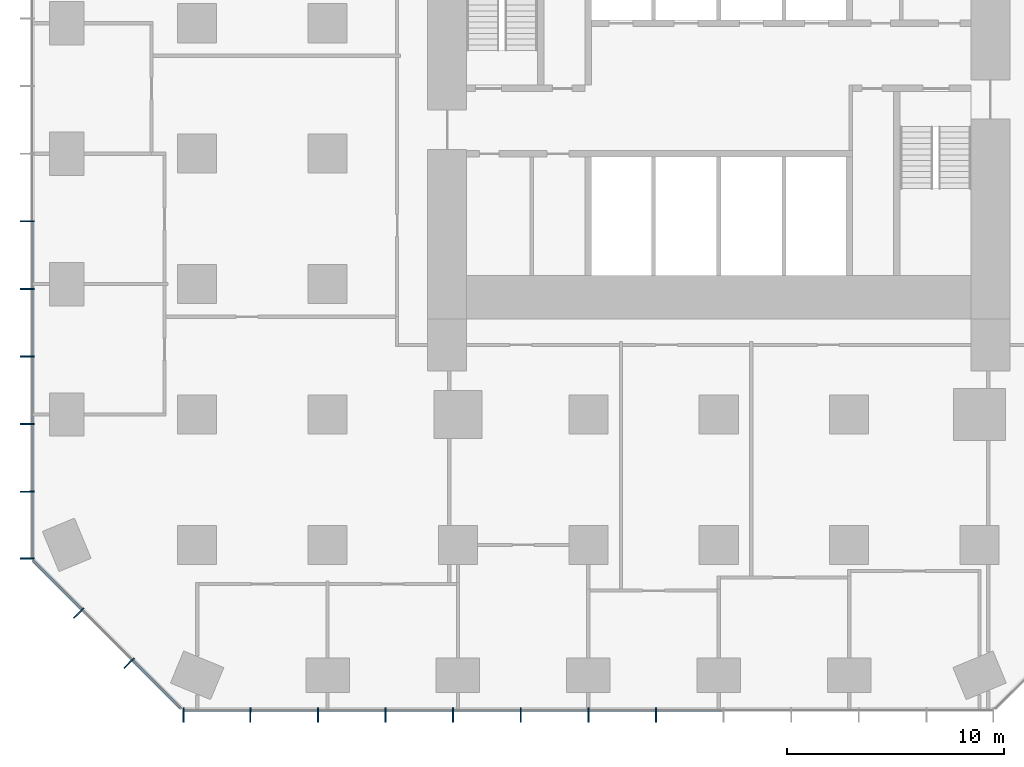
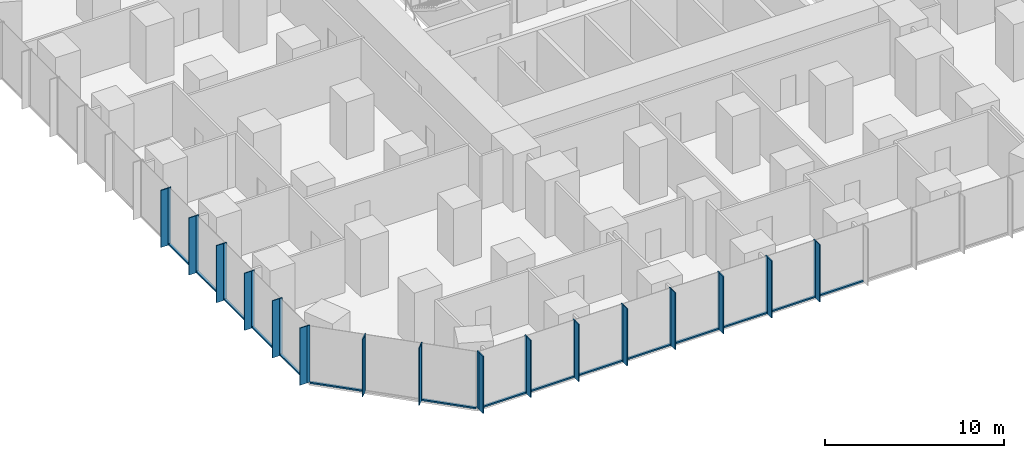
# One storey, part 2 of 12: 47 members, 3 elements without a shape of their own.
"""IFC4 building model written with IfcOpenShell, lengths in metres."""

from ifc_helpers import new_model, si_unit, direction, frame, origin, origin_2d, place, context, subcontext, project, spatial, rectangle, extrude, material, layer, layer_set, material_profile, profile_set, type_object, element, aggregate, save


model = new_model("IFC4")

# Units and contexts
model_context = context("Model", 3, precision=1e-05, world=origin(), true_north=direction((0.0, 1.0)))
body_context = subcontext(model_context, "Body", "Model", "MODEL_VIEW")
ifc_project = project(units=[si_unit("LENGTHUNIT", "METRE"), si_unit("AREAUNIT", "SQUARE_METRE"), si_unit("VOLUMEUNIT", "CUBIC_METRE"), si_unit("PLANEANGLEUNIT", "RADIAN"), si_unit("MASSUNIT", "GRAM", prefix="KILO")], contexts=[model_context])

# Site, building, storey
site_placement = place(None, origin())
site = spatial("IfcSite", under=ifc_project, at=site_placement, CompositionType="ELEMENT")
building_placement = place(site_placement, origin())
building = spatial("IfcBuilding", under=site, at=building_placement, Name="Highveld Stack Headquarters", CompositionType="ELEMENT")
storey_placement = place(building_placement, frame((0.0, 0.0, 22.10009765625)))
storey = spatial("IfcBuildingStorey", under=building, at=storey_placement, Name="L04", CompositionType="ELEMENT", Elevation=22.10009765625)

# Curtain wall, members
ifc_material_1 = material(Name="Aluminium bronze anodised", Category="aluminium")
ifc_layer_1 = layer(ifc_material_1, 0.199951171875)
ifc_layer_set_1 = layer_set([ifc_layer_1], Name="Aluminium bronze anodised")
curtain_wall_type_1 = type_object("IfcCurtainWallType", Name="CW1 TOWER UNITISED CURTAIN WALL", PredefinedType="NOTDEFINED", material=ifc_layer_set_1)
curtain_wall_1_placement = place(storey_placement, origin())
curtain_wall_1 = element("IfcCurtainWall", 1, at=curtain_wall_1_placement, inside=storey, type_object=curtain_wall_type_1, Name="Curtain wall CW1 L04 S", PredefinedType="NOTDEFINED")
ifc_material_2 = material(Name="Aluminium bronze anodised", Category="aluminium")
ifc_material_profile_1 = material_profile(ifc_material_2, rectangle(XDim=0.449951171875, YDim=0.06005859375, at=origin_2d()), Name="FIN 450x60")
ifc_profile_set_1 = profile_set([ifc_material_profile_1], Name="Aluminium bronze anodised")
member_type_1 = type_object("IfcMemberType", Name="CW1 BRONZE FIN 450x60", PredefinedType="USERDEFINED", material=ifc_profile_set_1)
member_1_placement = place(storey_placement, frame((-18.630126953125, -25.925048828125, 0.0), z_axis=(0.0, 0.0, 1.0), x_axis=(0.0, 1.0, 0.0)))
member_1 = element("IfcMember", 2, at=member_1_placement, type_object=member_type_1, Name="CW1 fin L04 1", ObjectType="FIN", PredefinedType="USERDEFINED", context=body_context, shape_type="SweptSolid", body=[
    extrude(rectangle(XDim=0.449951171875, YDim=0.06005859375, at=origin_2d()), origin(), (0.0, 0.0, 1.0), 3.89990234375),
])
member_2_placement = place(storey_placement, frame((-15.55224609375, -25.925048828125, 0.0), z_axis=(0.0, 0.0, 1.0), x_axis=(0.0, 1.0, 0.0)))
member_2 = element("IfcMember", 3, at=member_2_placement, type_object=member_type_1, Name="CW1 fin L04 2", ObjectType="FIN", PredefinedType="USERDEFINED", context=body_context, shape_type="SweptSolid", body=[
    extrude(rectangle(XDim=0.449951171875, YDim=0.06005859375, at=origin_2d()), origin(), (0.0, 0.0, 1.0), 3.89990234375),
])
member_3_placement = place(storey_placement, frame((-12.44189453125, -25.925048828125, 0.0), z_axis=(0.0, 0.0, 1.0), x_axis=(0.0, 1.0, 0.0)))
member_3 = element("IfcMember", 4, at=member_3_placement, type_object=member_type_1, Name="CW1 fin L04 3", ObjectType="FIN", PredefinedType="USERDEFINED", context=body_context, shape_type="SweptSolid", body=[
    extrude(rectangle(XDim=0.449951171875, YDim=0.06005859375, at=origin_2d()), origin(), (0.0, 0.0, 1.0), 3.89990234375),
])
member_4_placement = place(storey_placement, frame((-9.331298828125, -25.925048828125, 0.0), z_axis=(0.0, 0.0, 1.0), x_axis=(0.0, 1.0, 0.0)))
member_4 = element("IfcMember", 5, at=member_4_placement, type_object=member_type_1, Name="CW1 fin L04 4", ObjectType="FIN", PredefinedType="USERDEFINED", context=body_context, shape_type="SweptSolid", body=[
    extrude(rectangle(XDim=0.449951171875, YDim=0.06005859375, at=origin_2d()), origin(), (0.0, 0.0, 1.0), 3.89990234375),
])
member_5_placement = place(storey_placement, frame((-6.220947265625, -25.925048828125, 0.0), z_axis=(0.0, 0.0, 1.0), x_axis=(0.0, 1.0, 0.0)))
member_5 = element("IfcMember", 6, at=member_5_placement, type_object=member_type_1, Name="CW1 fin L04 5", ObjectType="FIN", PredefinedType="USERDEFINED", context=body_context, shape_type="SweptSolid", body=[
    extrude(rectangle(XDim=0.449951171875, YDim=0.06005859375, at=origin_2d()), origin(), (0.0, 0.0, 1.0), 3.89990234375),
])
member_6_placement = place(storey_placement, frame((-3.110595703125, -25.925048828125, 0.0), z_axis=(0.0, 0.0, 1.0), x_axis=(0.0, 1.0, 0.0)))
member_6 = element("IfcMember", 7, at=member_6_placement, type_object=member_type_1, Name="CW1 fin L04 6", ObjectType="FIN", PredefinedType="USERDEFINED", context=body_context, shape_type="SweptSolid", body=[
    extrude(rectangle(XDim=0.449951171875, YDim=0.06005859375, at=origin_2d()), origin(), (0.0, 0.0, 1.0), 3.89990234375),
])
member_7_placement = place(storey_placement, frame((0.0, -25.925048828125, 0.0), z_axis=(0.0, 0.0, 1.0), x_axis=(0.0, 1.0, 0.0)))
member_7 = element("IfcMember", 8, at=member_7_placement, type_object=member_type_1, Name="CW1 fin L04 7", ObjectType="FIN", PredefinedType="USERDEFINED", context=body_context, shape_type="SweptSolid", body=[
    extrude(rectangle(XDim=0.449951171875, YDim=0.06005859375, at=origin_2d()), origin(), (0.0, 0.0, 1.0), 3.89990234375),
])
member_8_placement = place(storey_placement, frame((3.110595703125, -25.925048828125, 0.0), z_axis=(0.0, 0.0, 1.0), x_axis=(0.0, 1.0, 0.0)))
member_8 = element("IfcMember", 9, at=member_8_placement, type_object=member_type_1, Name="CW1 fin L04 8", ObjectType="FIN", PredefinedType="USERDEFINED", context=body_context, shape_type="SweptSolid", body=[
    extrude(rectangle(XDim=0.449951171875, YDim=0.06005859375, at=origin_2d()), origin(), (0.0, 0.0, 1.0), 3.89990234375),
])

curtain_wall_2_placement = place(storey_placement, origin())
curtain_wall_2 = element("IfcCurtainWall", 10, at=curtain_wall_2_placement, inside=storey, type_object=curtain_wall_type_1, Name="Curtain wall CW1 L04 W", PredefinedType="NOTDEFINED")
member_9_placement = place(storey_placement, frame((-25.925048828125, -3.110595703125, 0.0), z_axis=(0.0, 0.0, 1.0), x_axis=(1.0, 0.0, 0.0)))
member_9 = element("IfcMember", 11, at=member_9_placement, type_object=member_type_1, Name="CW1 fin L04 8", ObjectType="FIN", PredefinedType="USERDEFINED", context=body_context, shape_type="SweptSolid", body=[
    extrude(rectangle(XDim=0.449951171875, YDim=0.06005859375, at=origin_2d()), origin(), (0.0, 0.0, 1.0), 3.89990234375),
])
member_10_placement = place(storey_placement, frame((-25.925048828125, -6.220947265625, 0.0), z_axis=(0.0, 0.0, 1.0), x_axis=(1.0, 0.0, 0.0)))
member_10 = element("IfcMember", 12, at=member_10_placement, type_object=member_type_1, Name="CW1 fin L04 9", ObjectType="FIN", PredefinedType="USERDEFINED", context=body_context, shape_type="SweptSolid", body=[
    extrude(rectangle(XDim=0.449951171875, YDim=0.06005859375, at=origin_2d()), origin(), (0.0, 0.0, 1.0), 3.89990234375),
])
member_11_placement = place(storey_placement, frame((-25.925048828125, -9.331298828125, 0.0), z_axis=(0.0, 0.0, 1.0), x_axis=(1.0, 0.0, 0.0)))
member_11 = element("IfcMember", 13, at=member_11_placement, type_object=member_type_1, Name="CW1 fin L04 10", ObjectType="FIN", PredefinedType="USERDEFINED", context=body_context, shape_type="SweptSolid", body=[
    extrude(rectangle(XDim=0.449951171875, YDim=0.06005859375, at=origin_2d()), origin(), (0.0, 0.0, 1.0), 3.89990234375),
])
member_12_placement = place(storey_placement, frame((-25.925048828125, -12.44189453125, 0.0), z_axis=(0.0, 0.0, 1.0), x_axis=(1.0, 0.0, 0.0)))
member_12 = element("IfcMember", 14, at=member_12_placement, type_object=member_type_1, Name="CW1 fin L04 11", ObjectType="FIN", PredefinedType="USERDEFINED", context=body_context, shape_type="SweptSolid", body=[
    extrude(rectangle(XDim=0.449951171875, YDim=0.06005859375, at=origin_2d()), origin(), (0.0, 0.0, 1.0), 3.89990234375),
])
member_13_placement = place(storey_placement, frame((-25.925048828125, -15.55224609375, 0.0), z_axis=(0.0, 0.0, 1.0), x_axis=(1.0, 0.0, 0.0)))
member_13 = element("IfcMember", 15, at=member_13_placement, type_object=member_type_1, Name="CW1 fin L04 12", ObjectType="FIN", PredefinedType="USERDEFINED", context=body_context, shape_type="SweptSolid", body=[
    extrude(rectangle(XDim=0.449951171875, YDim=0.06005859375, at=origin_2d()), origin(), (0.0, 0.0, 1.0), 3.89990234375),
])
member_14_placement = place(storey_placement, frame((-25.925048828125, -18.630126953125, 0.0), z_axis=(0.0, 0.0, 1.0), x_axis=(1.0, 0.0, 0.0)))
member_14 = element("IfcMember", 16, at=member_14_placement, type_object=member_type_1, Name="CW1 fin L04 13", ObjectType="FIN", PredefinedType="USERDEFINED", context=body_context, shape_type="SweptSolid", body=[
    extrude(rectangle(XDim=0.449951171875, YDim=0.06005859375, at=origin_2d()), origin(), (0.0, 0.0, 1.0), 3.89990234375),
])

# Member
ifc_material_3 = material(Name="Aluminium bronze anodised", Category="aluminium")
ifc_material_profile_2 = material_profile(ifc_material_3, rectangle(XDim=0.199951171875, YDim=0.06494140625, at=origin_2d()), Name="CW1 MULLION 65x200")
ifc_profile_set_2 = profile_set([ifc_material_profile_2], Name="Aluminium bronze anodised")
member_type_2 = type_object("IfcMemberType", Name="CW1 MULLION 65x200", PredefinedType="MULLION", material=ifc_profile_set_2)
member_15_placement = place(storey_placement, frame((-18.630126953125, -25.60009765625, 0.0), z_axis=(0.0, 0.0, 1.0), x_axis=(0.0, 1.0, 0.0)))
member_15 = element("IfcMember", 17, at=member_15_placement, type_object=member_type_2, Name="CW1 mullion L04 1", PredefinedType="MULLION", context=body_context, shape_type="SweptSolid", body=[
    extrude(rectangle(XDim=0.199951171875, YDim=0.06494140625, at=origin_2d()), origin(), (0.0, 0.0, 1.0), 3.89990234375),
])

member_16_placement = place(storey_placement, frame((-15.55224609375, -25.60009765625, 0.0), z_axis=(0.0, 0.0, 1.0), x_axis=(0.0, 1.0, 0.0)))
member_16 = element("IfcMember", 18, at=member_16_placement, type_object=member_type_2, Name="CW1 mullion L04 2", PredefinedType="MULLION", context=body_context, shape_type="SweptSolid", body=[
    extrude(rectangle(XDim=0.199951171875, YDim=0.06494140625, at=origin_2d()), origin(), (0.0, 0.0, 1.0), 3.89990234375),
])

member_17_placement = place(storey_placement, frame((-12.44189453125, -25.60009765625, 0.0), z_axis=(0.0, 0.0, 1.0), x_axis=(0.0, 1.0, 0.0)))
member_17 = element("IfcMember", 19, at=member_17_placement, type_object=member_type_2, Name="CW1 mullion L04 3", PredefinedType="MULLION", context=body_context, shape_type="SweptSolid", body=[
    extrude(rectangle(XDim=0.199951171875, YDim=0.06494140625, at=origin_2d()), origin(), (0.0, 0.0, 1.0), 3.89990234375),
])

member_18_placement = place(storey_placement, frame((-9.331298828125, -25.60009765625, 0.0), z_axis=(0.0, 0.0, 1.0), x_axis=(0.0, 1.0, 0.0)))
member_18 = element("IfcMember", 20, at=member_18_placement, type_object=member_type_2, Name="CW1 mullion L04 4", PredefinedType="MULLION", context=body_context, shape_type="SweptSolid", body=[
    extrude(rectangle(XDim=0.199951171875, YDim=0.06494140625, at=origin_2d()), origin(), (0.0, 0.0, 1.0), 3.89990234375),
])

member_19_placement = place(storey_placement, frame((-6.220947265625, -25.60009765625, 0.0), z_axis=(0.0, 0.0, 1.0), x_axis=(0.0, 1.0, 0.0)))
member_19 = element("IfcMember", 21, at=member_19_placement, type_object=member_type_2, Name="CW1 mullion L04 5", PredefinedType="MULLION", context=body_context, shape_type="SweptSolid", body=[
    extrude(rectangle(XDim=0.199951171875, YDim=0.06494140625, at=origin_2d()), origin(), (0.0, 0.0, 1.0), 3.89990234375),
])

member_20_placement = place(storey_placement, frame((-3.110595703125, -25.60009765625, 0.0), z_axis=(0.0, 0.0, 1.0), x_axis=(0.0, 1.0, 0.0)))
member_20 = element("IfcMember", 22, at=member_20_placement, type_object=member_type_2, Name="CW1 mullion L04 6", PredefinedType="MULLION", context=body_context, shape_type="SweptSolid", body=[
    extrude(rectangle(XDim=0.199951171875, YDim=0.06494140625, at=origin_2d()), origin(), (0.0, 0.0, 1.0), 3.89990234375),
])

member_21_placement = place(storey_placement, frame((0.0, -25.60009765625, 0.0), z_axis=(0.0, 0.0, 1.0), x_axis=(0.0, 1.0, 0.0)))
member_21 = element("IfcMember", 23, at=member_21_placement, type_object=member_type_2, Name="CW1 mullion L04 7", PredefinedType="MULLION", context=body_context, shape_type="SweptSolid", body=[
    extrude(rectangle(XDim=0.199951171875, YDim=0.06494140625, at=origin_2d()), origin(), (0.0, 0.0, 1.0), 3.89990234375),
])

member_22_placement = place(storey_placement, frame((3.110595703125, -25.60009765625, 0.0), z_axis=(0.0, 0.0, 1.0), x_axis=(0.0, 1.0, 0.0)))
member_22 = element("IfcMember", 24, at=member_22_placement, type_object=member_type_2, Name="CW1 mullion L04 8", PredefinedType="MULLION", context=body_context, shape_type="SweptSolid", body=[
    extrude(rectangle(XDim=0.199951171875, YDim=0.06494140625, at=origin_2d()), origin(), (0.0, 0.0, 1.0), 3.89990234375),
])

member_23_placement = place(storey_placement, frame((-25.60009765625, -3.110595703125, 0.0), z_axis=(0.0, 0.0, 1.0), x_axis=(1.0, 0.0, 0.0)))
member_23 = element("IfcMember", 25, at=member_23_placement, type_object=member_type_2, Name="CW1 mullion L04 8", PredefinedType="MULLION", context=body_context, shape_type="SweptSolid", body=[
    extrude(rectangle(XDim=0.199951171875, YDim=0.06494140625, at=origin_2d()), origin(), (0.0, 0.0, 1.0), 3.89990234375),
])

member_24_placement = place(storey_placement, frame((-25.60009765625, -6.220947265625, 0.0), z_axis=(0.0, 0.0, 1.0), x_axis=(1.0, 0.0, 0.0)))
member_24 = element("IfcMember", 26, at=member_24_placement, type_object=member_type_2, Name="CW1 mullion L04 9", PredefinedType="MULLION", context=body_context, shape_type="SweptSolid", body=[
    extrude(rectangle(XDim=0.199951171875, YDim=0.06494140625, at=origin_2d()), origin(), (0.0, 0.0, 1.0), 3.89990234375),
])

member_25_placement = place(storey_placement, frame((-25.60009765625, -9.331298828125, 0.0), z_axis=(0.0, 0.0, 1.0), x_axis=(1.0, 0.0, 0.0)))
member_25 = element("IfcMember", 27, at=member_25_placement, type_object=member_type_2, Name="CW1 mullion L04 10", PredefinedType="MULLION", context=body_context, shape_type="SweptSolid", body=[
    extrude(rectangle(XDim=0.199951171875, YDim=0.06494140625, at=origin_2d()), origin(), (0.0, 0.0, 1.0), 3.89990234375),
])

member_26_placement = place(storey_placement, frame((-25.60009765625, -12.44189453125, 0.0), z_axis=(0.0, 0.0, 1.0), x_axis=(1.0, 0.0, 0.0)))
member_26 = element("IfcMember", 28, at=member_26_placement, type_object=member_type_2, Name="CW1 mullion L04 11", PredefinedType="MULLION", context=body_context, shape_type="SweptSolid", body=[
    extrude(rectangle(XDim=0.199951171875, YDim=0.06494140625, at=origin_2d()), origin(), (0.0, 0.0, 1.0), 3.89990234375),
])

member_27_placement = place(storey_placement, frame((-25.60009765625, -15.55224609375, 0.0), z_axis=(0.0, 0.0, 1.0), x_axis=(1.0, 0.0, 0.0)))
member_27 = element("IfcMember", 29, at=member_27_placement, type_object=member_type_2, Name="CW1 mullion L04 12", PredefinedType="MULLION", context=body_context, shape_type="SweptSolid", body=[
    extrude(rectangle(XDim=0.199951171875, YDim=0.06494140625, at=origin_2d()), origin(), (0.0, 0.0, 1.0), 3.89990234375),
])

member_28_placement = place(storey_placement, frame((-25.60009765625, -18.630126953125, 0.0), z_axis=(0.0, 0.0, 1.0), x_axis=(1.0, 0.0, 0.0)))
member_28 = element("IfcMember", 30, at=member_28_placement, type_object=member_type_2, Name="CW1 mullion L04 13", PredefinedType="MULLION", context=body_context, shape_type="SweptSolid", body=[
    extrude(rectangle(XDim=0.199951171875, YDim=0.06494140625, at=origin_2d()), origin(), (0.0, 0.0, 1.0), 3.89990234375),
])

ifc_material_4 = material(Name="Aluminium bronze anodised", Category="aluminium")
ifc_material_profile_3 = material_profile(ifc_material_4, rectangle(XDim=0.14990234375, YDim=0.10009765625, at=origin_2d()), Name="CW1 TRANSOM 150x100")
ifc_profile_set_3 = profile_set([ifc_material_profile_3], Name="Aluminium bronze anodised")
member_type_3 = type_object("IfcMemberType", Name="CW1 STACK TRANSOM 150x100", PredefinedType="USERDEFINED", material=ifc_profile_set_3)
member_29_placement = place(storey_placement, frame((-18.59765625, -25.60009765625, 0.0498046875), z_axis=(1.0, 0.0, 0.0), x_axis=(0.0, 1.0, 0.0)))
member_29 = element("IfcMember", 31, at=member_29_placement, type_object=member_type_3, Name="CW1 transom L04 1.1", ObjectType="TRANSOM", PredefinedType="USERDEFINED", context=body_context, shape_type="SweptSolid", body=[
    extrude(rectangle(XDim=0.14990234375, YDim=0.10009765625, at=origin_2d()), origin(), (0.0, 0.0, 1.0), 3.012939453125),
])

member_30_placement = place(storey_placement, frame((-15.519775390625, -25.60009765625, 0.0498046875), z_axis=(1.0, 0.0, 0.0), x_axis=(0.0, 1.0, 0.0)))
member_30 = element("IfcMember", 32, at=member_30_placement, type_object=member_type_3, Name="CW1 transom L04 2.1", ObjectType="TRANSOM", PredefinedType="USERDEFINED", context=body_context, shape_type="SweptSolid", body=[
    extrude(rectangle(XDim=0.14990234375, YDim=0.10009765625, at=origin_2d()), origin(), (0.0, 0.0, 1.0), 3.04541015625),
])

member_31_placement = place(storey_placement, frame((-12.4091796875, -25.60009765625, 0.0498046875), z_axis=(1.0, 0.0, 0.0), x_axis=(0.0, 1.0, 0.0)))
member_31 = element("IfcMember", 33, at=member_31_placement, type_object=member_type_3, Name="CW1 transom L04 3.1", ObjectType="TRANSOM", PredefinedType="USERDEFINED", context=body_context, shape_type="SweptSolid", body=[
    extrude(rectangle(XDim=0.14990234375, YDim=0.10009765625, at=origin_2d()), origin(), (0.0, 0.0, 1.0), 3.045166015625),
])

member_32_placement = place(storey_placement, frame((-9.298828125, -25.60009765625, 0.0498046875), z_axis=(1.0, 0.0, 0.0), x_axis=(0.0, 1.0, 0.0)))
member_32 = element("IfcMember", 34, at=member_32_placement, type_object=member_type_3, Name="CW1 transom L04 4.1", ObjectType="TRANSOM", PredefinedType="USERDEFINED", context=body_context, shape_type="SweptSolid", body=[
    extrude(rectangle(XDim=0.14990234375, YDim=0.10009765625, at=origin_2d()), origin(), (0.0, 0.0, 1.0), 3.04541015625),
])

member_33_placement = place(storey_placement, frame((-6.1884765625, -25.60009765625, 0.0498046875), z_axis=(1.0, 0.0, 0.0), x_axis=(0.0, 1.0, 0.0)))
member_33 = element("IfcMember", 35, at=member_33_placement, type_object=member_type_3, Name="CW1 transom L04 5.1", ObjectType="TRANSOM", PredefinedType="USERDEFINED", context=body_context, shape_type="SweptSolid", body=[
    extrude(rectangle(XDim=0.14990234375, YDim=0.10009765625, at=origin_2d()), origin(), (0.0, 0.0, 1.0), 3.04541015625),
])

member_34_placement = place(storey_placement, frame((-3.077880859375, -25.60009765625, 0.0498046875), z_axis=(1.0, 0.0, 0.0), x_axis=(0.0, 1.0, 0.0)))
member_34 = element("IfcMember", 36, at=member_34_placement, type_object=member_type_3, Name="CW1 transom L04 6.1", ObjectType="TRANSOM", PredefinedType="USERDEFINED", context=body_context, shape_type="SweptSolid", body=[
    extrude(rectangle(XDim=0.14990234375, YDim=0.10009765625, at=origin_2d()), origin(), (0.0, 0.0, 1.0), 3.04541015625),
])

member_35_placement = place(storey_placement, frame((0.032470703125, -25.60009765625, 0.0498046875), z_axis=(1.0, 0.0, 0.0), x_axis=(0.0, 1.0, 0.0)))
member_35 = element("IfcMember", 37, at=member_35_placement, type_object=member_type_3, Name="CW1 transom L04 7.1", ObjectType="TRANSOM", PredefinedType="USERDEFINED", context=body_context, shape_type="SweptSolid", body=[
    extrude(rectangle(XDim=0.14990234375, YDim=0.10009765625, at=origin_2d()), origin(), (0.0, 0.0, 1.0), 3.04541015625),
])

member_36_placement = place(storey_placement, frame((3.142822265625, -25.60009765625, 0.0498046875), z_axis=(1.0, 0.0, 0.0), x_axis=(0.0, 1.0, 0.0)))
member_36 = element("IfcMember", 38, at=member_36_placement, type_object=member_type_3, Name="CW1 transom L04 8.1", ObjectType="TRANSOM", PredefinedType="USERDEFINED", context=body_context, shape_type="SweptSolid", body=[
    extrude(rectangle(XDim=0.14990234375, YDim=0.10009765625, at=origin_2d()), origin(), (0.0, 0.0, 1.0), 3.045654296875),
])

aggregate(curtain_wall_1, [member_15, member_1, member_16, member_2, member_17, member_3, member_18, member_4, member_19, member_5, member_20, member_6, member_21, member_7, member_22, member_8, member_29, member_30, member_31, member_32, member_33, member_34, member_35, member_36])

member_37_placement = place(storey_placement, frame((-25.60009765625, -3.142822265625, 0.0498046875), z_axis=(0.0, -1.0, 0.0), x_axis=(1.0, 0.0, 0.0)))
member_37 = element("IfcMember", 39, at=member_37_placement, type_object=member_type_3, Name="CW1 transom L04 8.1", ObjectType="TRANSOM", PredefinedType="USERDEFINED", context=body_context, shape_type="SweptSolid", body=[
    extrude(rectangle(XDim=0.14990234375, YDim=0.10009765625, at=origin_2d()), origin(), (0.0, 0.0, 1.0), 3.045654296875),
])

member_38_placement = place(storey_placement, frame((-25.60009765625, -6.25341796875, 0.0498046875), z_axis=(0.0, -1.0, 0.0), x_axis=(1.0, 0.0, 0.0)))
member_38 = element("IfcMember", 40, at=member_38_placement, type_object=member_type_3, Name="CW1 transom L04 9.1", ObjectType="TRANSOM", PredefinedType="USERDEFINED", context=body_context, shape_type="SweptSolid", body=[
    extrude(rectangle(XDim=0.14990234375, YDim=0.10009765625, at=origin_2d()), origin(), (0.0, 0.0, 1.0), 3.04541015625),
])

member_39_placement = place(storey_placement, frame((-25.60009765625, -9.36376953125, 0.0498046875), z_axis=(0.0, -1.0, 0.0), x_axis=(1.0, 0.0, 0.0)))
member_39 = element("IfcMember", 41, at=member_39_placement, type_object=member_type_3, Name="CW1 transom L04 10.1", ObjectType="TRANSOM", PredefinedType="USERDEFINED", context=body_context, shape_type="SweptSolid", body=[
    extrude(rectangle(XDim=0.14990234375, YDim=0.10009765625, at=origin_2d()), origin(), (0.0, 0.0, 1.0), 3.04541015625),
])

member_40_placement = place(storey_placement, frame((-25.60009765625, -12.474365234375, 0.0498046875), z_axis=(0.0, -1.0, 0.0), x_axis=(1.0, 0.0, 0.0)))
member_40 = element("IfcMember", 42, at=member_40_placement, type_object=member_type_3, Name="CW1 transom L04 11.1", ObjectType="TRANSOM", PredefinedType="USERDEFINED", context=body_context, shape_type="SweptSolid", body=[
    extrude(rectangle(XDim=0.14990234375, YDim=0.10009765625, at=origin_2d()), origin(), (0.0, 0.0, 1.0), 3.04541015625),
])

member_41_placement = place(storey_placement, frame((-25.60009765625, -15.584716796875, 0.0498046875), z_axis=(0.0, -1.0, 0.0), x_axis=(1.0, 0.0, 0.0)))
member_41 = element("IfcMember", 43, at=member_41_placement, type_object=member_type_3, Name="CW1 transom L04 12.1", ObjectType="TRANSOM", PredefinedType="USERDEFINED", context=body_context, shape_type="SweptSolid", body=[
    extrude(rectangle(XDim=0.14990234375, YDim=0.10009765625, at=origin_2d()), origin(), (0.0, 0.0, 1.0), 3.012939453125),
])

aggregate(curtain_wall_2, [member_23, member_9, member_24, member_10, member_25, member_11, member_26, member_12, member_27, member_13, member_28, member_14, member_37, member_38, member_39, member_40, member_41])

# Curtain wall, members
ifc_material_5 = material(Name="Aluminium bronze anodised", Category="aluminium")
ifc_layer_2 = layer(ifc_material_5, 0.199951171875)
ifc_layer_set_2 = layer_set([ifc_layer_2], Name="Aluminium bronze anodised")
curtain_wall_type_2 = type_object("IfcCurtainWallType", Name="CW2 TOWER CHAMFER UNITISED CURTAIN WALL", PredefinedType="NOTDEFINED", material=ifc_layer_set_2)
curtain_wall_3_placement = place(storey_placement, origin())
curtain_wall_3 = element("IfcCurtainWall", 44, at=curtain_wall_3_placement, inside=storey, type_object=curtain_wall_type_2, Name="Curtain wall CW2 L04 SW", PredefinedType="NOTDEFINED")
ifc_material_6 = material(Name="Aluminium bronze anodised", Category="aluminium")
ifc_material_profile_4 = material_profile(ifc_material_6, rectangle(XDim=0.449951171875, YDim=0.06005859375, at=origin_2d()), Name="FIN 450x60")
ifc_profile_set_4 = profile_set([ifc_material_profile_4], Name="Aluminium bronze anodised")
member_type_4 = type_object("IfcMemberType", Name="CW2 BRONZE FIN 450x60", PredefinedType="USERDEFINED", material=ifc_profile_set_4)
member_42_placement = place(storey_placement, frame((-23.517333984375, -21.204833984375, 0.0), z_axis=(0.0, 0.0, 1.0), x_axis=(0.707106781187, 0.707106781187, 0.0)))
member_42 = element("IfcMember", 45, at=member_42_placement, type_object=member_type_4, Name="CW2 fin L04 1", ObjectType="FIN", PredefinedType="USERDEFINED", context=body_context, shape_type="SweptSolid", body=[
    extrude(rectangle(XDim=0.449951171875, YDim=0.06005859375, at=origin_2d()), origin(), (0.0, 0.0, 1.0), 3.89990234375),
])
member_43_placement = place(storey_placement, frame((-21.204833984375, -23.517333984375, 0.0), z_axis=(0.0, 0.0, 1.0), x_axis=(0.707106781187, 0.707106781187, 0.0)))
member_43 = element("IfcMember", 46, at=member_43_placement, type_object=member_type_4, Name="CW2 fin L04 2", ObjectType="FIN", PredefinedType="USERDEFINED", context=body_context, shape_type="SweptSolid", body=[
    extrude(rectangle(XDim=0.449951171875, YDim=0.06005859375, at=origin_2d()), origin(), (0.0, 0.0, 1.0), 3.89990234375),
])
ifc_material_7 = material(Name="Aluminium bronze anodised", Category="aluminium")
ifc_material_profile_5 = material_profile(ifc_material_7, rectangle(XDim=0.199951171875, YDim=0.06494140625, at=origin_2d()), Name="CW2 MULLION 65x200")
ifc_profile_set_5 = profile_set([ifc_material_profile_5], Name="Aluminium bronze anodised")
member_type_5 = type_object("IfcMemberType", Name="CW2 MULLION 65x200", PredefinedType="MULLION", material=ifc_profile_set_5)
member_44_placement = place(storey_placement, frame((-23.28759765625, -20.97509765625, 0.0), z_axis=(0.0, 0.0, 1.0), x_axis=(0.707106781187, 0.707106781187, 0.0)))
member_44 = element("IfcMember", 47, at=member_44_placement, type_object=member_type_5, Name="CW2 mullion L04 1", PredefinedType="MULLION", context=body_context, shape_type="SweptSolid", body=[
    extrude(rectangle(XDim=0.199951171875, YDim=0.06494140625, at=origin_2d()), origin(), (0.0, 0.0, 1.0), 3.89990234375),
])
member_45_placement = place(storey_placement, frame((-20.97509765625, -23.28759765625, 0.0), z_axis=(0.0, 0.0, 1.0), x_axis=(0.707106781187, 0.707106781187, 0.0)))
member_45 = element("IfcMember", 48, at=member_45_placement, type_object=member_type_5, Name="CW2 mullion L04 2", PredefinedType="MULLION", context=body_context, shape_type="SweptSolid", body=[
    extrude(rectangle(XDim=0.199951171875, YDim=0.06494140625, at=origin_2d()), origin(), (0.0, 0.0, 1.0), 3.89990234375),
])
ifc_material_8 = material(Name="Aluminium bronze anodised", Category="aluminium")
ifc_material_profile_6 = material_profile(ifc_material_8, rectangle(XDim=0.14990234375, YDim=0.10009765625, at=origin_2d()), Name="CW2 TRANSOM 150x100")
ifc_profile_set_6 = profile_set([ifc_material_profile_6], Name="Aluminium bronze anodised")
member_type_6 = type_object("IfcMemberType", Name="CW2 STACK TRANSOM 150x100", PredefinedType="USERDEFINED", material=ifc_profile_set_6)
member_46_placement = place(storey_placement, frame((-25.529296875, -18.7333984375, 0.0498046875), z_axis=(0.707106781187, -0.707106781187, 0.0), x_axis=(0.707106781187, 0.707106781187, 0.0)))
member_46 = element("IfcMember", 49, at=member_46_placement, type_object=member_type_6, Name="CW2 transom L04 1.1", ObjectType="TRANSOM", PredefinedType="USERDEFINED", context=body_context, shape_type="SweptSolid", body=[
    extrude(rectangle(XDim=0.14990234375, YDim=0.10009765625, at=origin_2d()), origin(), (0.0, 0.0, 1.0), 3.1376953125),
])
member_47_placement = place(storey_placement, frame((-20.9521484375, -23.310546875, 0.0498046875), z_axis=(0.707106781187, -0.707106781187, 0.0), x_axis=(0.707106781187, 0.707106781187, 0.0)))
member_47 = element("IfcMember", 50, at=member_47_placement, type_object=member_type_6, Name="CW2 transom L04 3.1", ObjectType="TRANSOM", PredefinedType="USERDEFINED", context=body_context, shape_type="SweptSolid", body=[
    extrude(rectangle(XDim=0.14990234375, YDim=0.10009765625, at=origin_2d()), origin(), (0.0, 0.0, 1.0), 3.1376953125),
])
aggregate(curtain_wall_3, [member_44, member_42, member_45, member_43, member_46, member_47])

save(model, "model.ifc")
